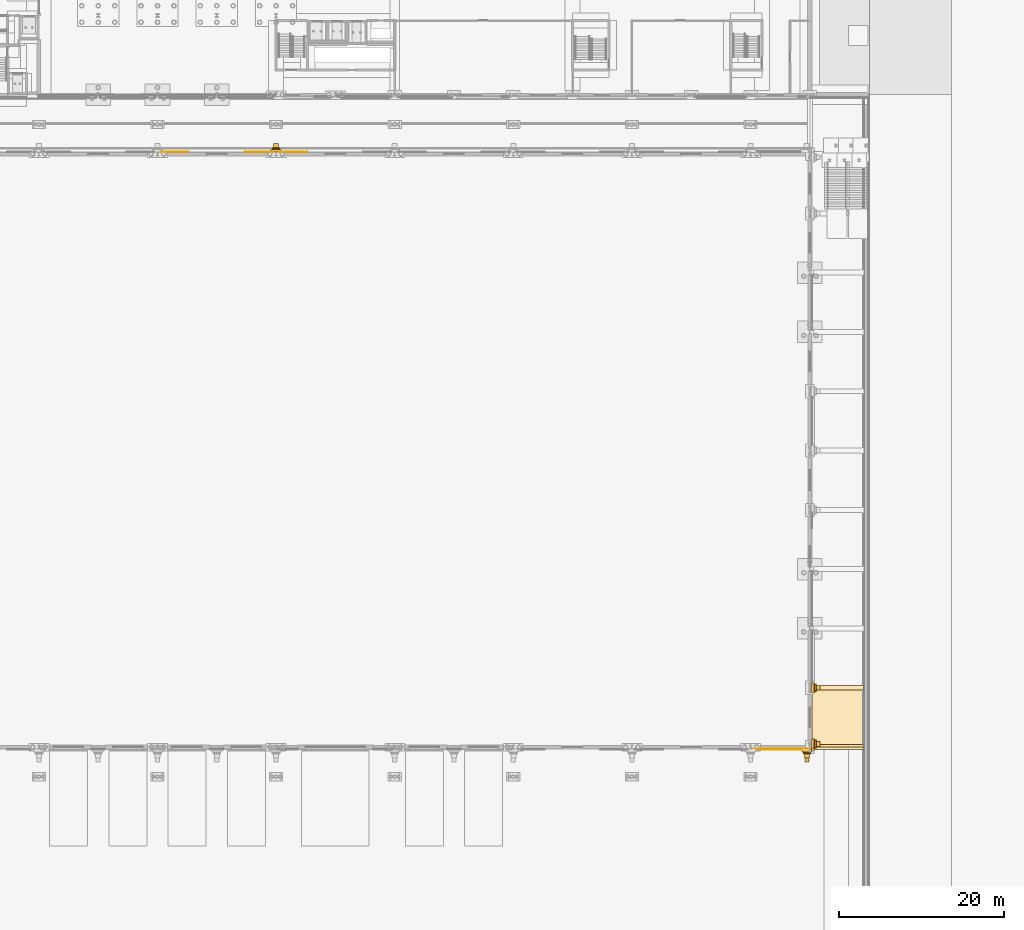
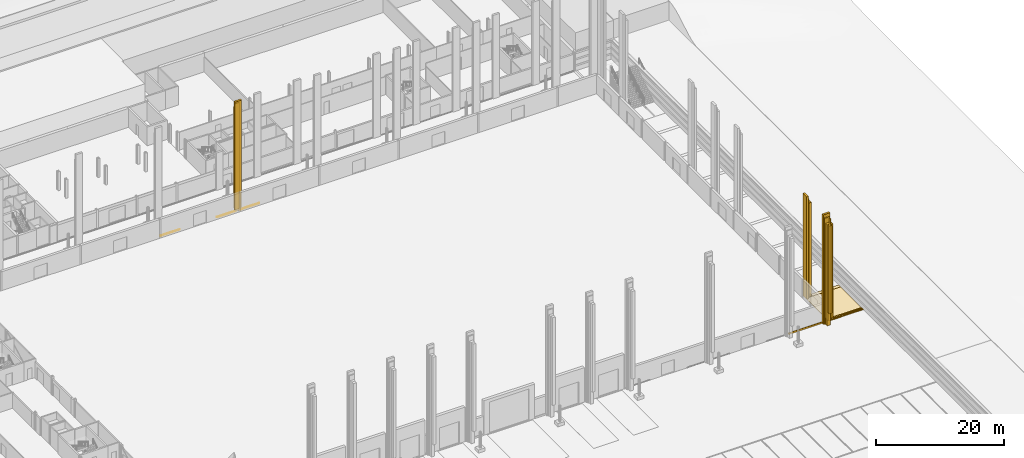
# One storey, part 134 of 148: 22 coverings.
"""IFC4 building model written with IfcOpenShell, lengths in metres."""

from ifc_helpers import new_model, si_unit, direction, frame, origin, origin_2d, place, context, subcontext, project, spatial, polyline, rectangle, outline, extrude, material, layer, layer_set, type_object, element, save


model = new_model("IFC4")

# Units and contexts
model_context = context("Model", 3, precision=1e-05, world=origin(), true_north=direction((0.0, 1.0)))
body_context = subcontext(model_context, "Body", "Model", "MODEL_VIEW")
ifc_project = project(units=[si_unit("LENGTHUNIT", "METRE"), si_unit("AREAUNIT", "SQUARE_METRE"), si_unit("VOLUMEUNIT", "CUBIC_METRE"), si_unit("PLANEANGLEUNIT", "RADIAN"), si_unit("MASSUNIT", "GRAM", prefix="KILO")], contexts=[model_context])

# Site, building, storey
site_placement = place(None, origin())
site = spatial("IfcSite", under=ifc_project, at=site_placement, CompositionType="ELEMENT")
building_placement = place(site_placement, origin())
building = spatial("IfcBuilding", under=site, at=building_placement, Name="Kupolbacken Congress Centre", CompositionType="ELEMENT")
storey_placement = place(building_placement, origin())
storey = spatial("IfcBuildingStorey", under=building, at=storey_placement, Name="L00", CompositionType="ELEMENT", Elevation=0.0)

# Coverings
ifc_material_1 = material(Name="Brick cladding", Category="masonry")
ifc_layer_1 = layer(ifc_material_1, 0.10791015625)
ifc_layer_set_1 = layer_set([ifc_layer_1], Name="Brick cladding")
covering_type_1 = type_object("IfcCoveringType", Name="CV2 brick cladding band 108", PredefinedType="CLADDING", material=ifc_layer_set_1)
covering_1_placement = place(storey_placement, frame((198.0, 42.93603515625, 0.0), z_axis=(0.0, 0.0, 1.0), x_axis=(1.0, 0.0, 0.0)))
element("IfcCovering", 1, at=covering_1_placement, inside=storey, type_object=covering_type_1, Name="E/H/S/L00/090/band", PredefinedType="CLADDING", context=body_context, shape_type="SweptSolid", body=[
    extrude(rectangle(XDim=6.89990234375, YDim=0.10791015625, at=origin_2d()), origin(), (0.0, 0.0, 1.0), 0.300048828125),
])
ifc_material_2 = material(Name="Limestone cladding", Category="masonry")
ifc_layer_2 = layer(ifc_material_2, 0.35009765625)
ifc_layer_set_2 = layer_set([ifc_layer_2], Name="Limestone cladding")
covering_type_2 = type_object("IfcCoveringType", Name="CV3 limestone pilaster strip 350", PredefinedType="CLADDING", material=ifc_layer_set_2)
covering_2_placement = place(storey_placement, frame((201.260009765625, 42.764892578125, 0.0), z_axis=(0.0, 0.0, 1.0), x_axis=(1.0, 0.0, 0.0)))
element("IfcCovering", 2, at=covering_2_placement, inside=storey, type_object=covering_type_2, Name="F/H/S/pil/16/0", PredefinedType="CLADDING", context=body_context, shape_type="SweptSolid", body=[
    extrude(rectangle(XDim=1.199951171875, YDim=0.35009765625, at=origin_2d()), origin(), (0.0, 0.0, 1.0), 20.93505859375),
])
covering_3_placement = place(storey_placement, frame((136.800048828125, 115.590087890625, 0.0), z_axis=(0.0, 0.0, 1.0), x_axis=(1.0, 0.0, 0.0)))
element("IfcCovering", 3, at=covering_3_placement, inside=storey, type_object=covering_type_2, Name="F/H/N/pil/07/0", PredefinedType="CLADDING", context=body_context, shape_type="SweptSolid", body=[
    extrude(rectangle(XDim=1.199951171875, YDim=0.340087890625, at=origin_2d()), origin(), (0.0, 0.0, 1.0), 20.93505859375),
])
for number, where, z_axis, x_axis, name in (
    (4, (201.985107421875, 43.590087890625, 0.0), (0.0, 0.0, 1.0), (0.0, 1.0, 0.0), "F/H/E/pil/00/0"),
    (5, (201.985107421875, 50.39990234375, 0.0), (0.0, 0.0, 1.0), (0.0, 1.0, 0.0), "F/H/E/pil/01/0"),
):
    element("IfcCovering", number, at=place(storey_placement, frame(where, z_axis=z_axis, x_axis=x_axis)), inside=storey, type_object=covering_type_2, Name=name, PredefinedType="CLADDING", context=body_context, shape_type="SweptSolid", body=[
        extrude(rectangle(XDim=1.199951171875, YDim=0.35009765625, at=origin_2d()), origin(), (0.0, 0.0, 1.0), 19.60009765625),
    ])
covering_4_placement = place(storey_placement, frame((201.985107421875, 42.93994140625, 0.0), z_axis=(0.0, 0.0, 1.0), x_axis=(1.0, 0.0, 0.0)))
element("IfcCovering", 6, at=covering_4_placement, inside=storey, type_object=covering_type_2, Name="F/H/corner/S/E/0", PredefinedType="CLADDING", context=body_context, shape_type="SweptSolid", body=[
    extrude(rectangle(XDim=0.35009765625, YDim=0.35009765625, at=origin_2d()), origin(), (0.0, 0.0, 1.0), 19.60009765625),
])
ifc_material_3 = material(Name="Limestone cladding", Category="masonry")
ifc_layer_3 = layer(ifc_material_3, 0.5)
ifc_layer_set_3 = layer_set([ifc_layer_3], Name="Limestone cladding")
covering_type_3 = type_object("IfcCoveringType", Name="CV8 limestone drum pier 500", PredefinedType="CLADDING", material=ifc_layer_set_3)
covering_5_placement = place(storey_placement, frame((201.260009765625, 42.139892578125, 0.0), z_axis=(0.0, 0.0, 1.0), x_axis=(1.0, 0.0, 0.0)))
element("IfcCovering", 7, at=covering_5_placement, inside=storey, type_object=covering_type_3, Name="F/HR/H/S/butt/16-0/0", PredefinedType="CLADDING", context=body_context, shape_type="SweptSolid", body=[
    extrude(rectangle(XDim=0.60009765625, YDim=0.5, at=origin_2d()), origin(), (0.0, 0.0, 1.0), 19.385009765625),
])
covering_6_placement = place(storey_placement, frame((201.260009765625, 41.639892578125, 2.60009765625), z_axis=(0.0, 0.0, 1.0), x_axis=(1.0, 0.0, 0.0)))
element("IfcCovering", 8, at=covering_6_placement, inside=storey, type_object=covering_type_3, Name="F/HR/H/S/butt2/16-0/0", PredefinedType="CLADDING", context=body_context, shape_type="SweptSolid", body=[
    extrude(rectangle(XDim=0.5, YDim=0.5, at=origin_2d()), origin(), (0.0, 0.0, 1.0), 16.784912109375),
])
covering_7_placement = place(storey_placement, frame((136.800048828125, 116.2099609375, 0.0), z_axis=(0.0, 0.0, 1.0), x_axis=(1.0, 0.0, 0.0)))
element("IfcCovering", 9, at=covering_7_placement, inside=storey, type_object=covering_type_3, Name="F/HR/H/N/butt/07-0/0", PredefinedType="CLADDING", context=body_context, shape_type="SweptSolid", body=[
    extrude(rectangle(XDim=0.60009765625, YDim=0.5, at=origin_2d()), origin(), (0.0, 0.0, 1.0), 19.385009765625),
])
for number, where, z_axis, x_axis, name in (
    (10, (202.610107421875, 43.590087890625, 0.0), (0.0, 0.0, 1.0), (0.0, 1.0, 0.0), "F/HR/H/E/butt/00-0/0"),
    (11, (202.610107421875, 50.39990234375, 0.0), (0.0, 0.0, 1.0), (0.0, 1.0, 0.0), "F/HR/H/E/butt/01-0/0"),
):
    element("IfcCovering", number, at=place(storey_placement, frame(where, z_axis=z_axis, x_axis=x_axis)), inside=storey, type_object=covering_type_3, Name=name, PredefinedType="CLADDING", context=body_context, shape_type="SweptSolid", body=[
        extrude(rectangle(XDim=0.60009765625, YDim=0.5, at=origin_2d()), origin(), (0.0, 0.0, 1.0), 18.050048828125),
    ])
ifc_material_4 = material(Name="Limestone cladding", Category="masonry")
ifc_layer_4 = layer(ifc_material_4, 0.199951171875)
ifc_layer_set_4 = layer_set([ifc_layer_4], Name="Limestone cladding")
covering_type_4 = type_object("IfcCoveringType", Name="CV9 limestone drum arch frame 200", PredefinedType="CLADDING", material=ifc_layer_set_4)
for number, where, z_axis, x_axis, name in (
    (12, (201.260009765625, 42.489990234375, 0.0), (0.0, 0.0, 1.0), (1.0, 0.0, 0.0), "F/HR/H/S/rib/16-0/0"),
    (13, (136.800048828125, 115.860107421875, 0.0), (0.0, 0.0, 1.0), (1.0, 0.0, 0.0), "F/HR/H/N/rib/07-0/0"),
):
    element("IfcCovering", number, at=place(storey_placement, frame(where, z_axis=z_axis, x_axis=x_axis)), inside=storey, type_object=covering_type_4, Name=name, PredefinedType="CLADDING", context=body_context, shape_type="SweptSolid", body=[
        extrude(rectangle(XDim=0.89990234375, YDim=0.199951171875, at=origin_2d()), origin(), (0.0, 0.0, 1.0), 20.3349609375),
    ])
for number, where, z_axis, x_axis, name in (
    (14, (202.260009765625, 43.590087890625, 0.0), (0.0, 0.0, 1.0), (0.0, 1.0, 0.0), "F/HR/H/E/rib/00-0/0"),
    (15, (202.260009765625, 50.39990234375, 0.0), (0.0, 0.0, 1.0), (0.0, 1.0, 0.0), "F/HR/H/E/rib/01-0/0"),
):
    element("IfcCovering", number, at=place(storey_placement, frame(where, z_axis=z_axis, x_axis=x_axis)), inside=storey, type_object=covering_type_4, Name=name, PredefinedType="CLADDING", context=body_context, shape_type="SweptSolid", body=[
        extrude(rectangle(XDim=0.89990234375, YDim=0.199951171875, at=origin_2d()), origin(), (0.0, 0.0, 1.0), 19.0),
    ])
ifc_material_5 = material(Name="Limestone cladding", Category="masonry")
ifc_layer_5 = layer(ifc_material_5, 0.02001953125)
ifc_layer_set_5 = layer_set([ifc_layer_5], Name="Limestone cladding")
covering_type_5 = type_object("IfcCoveringType", Name="GF1 limestone paving 20", PredefinedType="FLOORING", material=ifc_layer_set_5)
covering_8_placement = place(storey_placement, origin())
element("IfcCovering", 16, at=covering_8_placement, inside=storey, type_object=covering_type_5, Name="East paving band", PredefinedType="FLOORING", context=body_context, shape_type="SweptSolid", body=[
    extrude(outline(polyline([(201.974365234375, 50.10009765625), (201.9990234375, 50.13330078125), (202.0234375, 50.173583984375), (202.04345703125, 50.21630859375), (202.059326171875, 50.2607421875), (202.07080078125, 50.306396484375), (202.07763671875, 50.352783203125), (202.080078125, 50.39990234375), (202.07763671875, 50.447021484375), (202.07080078125, 50.49365234375), (202.059326171875, 50.539306640625), (202.04345703125, 50.583740234375), (202.0234375, 50.626220703125), (201.9990234375, 50.666748046875), (201.974365234375, 50.699951171875), (208.110107421875, 50.699951171875), (208.110107421875, 50.10009765625), (201.974365234375, 50.10009765625)])), origin(), (0.0, 0.0, 1.0), 0.02001953125),
])
ifc_material_6 = material(Name="Brick", Category="masonry")
ifc_layer_6 = layer(ifc_material_6, 0.02001953125)
ifc_layer_set_6 = layer_set([ifc_layer_6], Name="Brick")
covering_type_6 = type_object("IfcCoveringType", Name="GF2 brick paving 20", PredefinedType="FLOORING", material=ifc_layer_set_6)
covering_9_placement = place(storey_placement, origin())
element("IfcCovering", 17, at=covering_9_placement, inside=storey, type_object=covering_type_6, Name="East strip brick paving", PredefinedType="FLOORING", context=body_context, shape_type="SweptSolid", body=[
    extrude(outline(polyline([(208.110107421875, 43.50048828125), (201.974365234375, 43.5), (201.939453125, 43.539306640625), (201.904541015625, 43.571044921875), (201.86669921875, 43.59912109375), (201.840087890625, 43.614990234375), (201.840087890625, 49.98486328125), (201.86669921875, 50.0009765625), (201.904541015625, 50.02880859375), (201.939453125, 50.060546875), (201.974365234375, 50.10009765625), (208.110107421875, 50.10009765625), (208.110107421875, 43.50048828125)])), origin(), (0.0, 0.0, 1.0), 0.02001953125),
])
ifc_material_7 = material(Name="Granite setts", Category="masonry")
ifc_layer_7 = layer(ifc_material_7, 0.10009765625)
ifc_layer_set_7 = layer_set([ifc_layer_7], Name="Granite setts")
covering_type_7 = type_object("IfcCoveringType", Name="GR3 granite sett paving 100", PredefinedType="FLOORING", material=ifc_layer_set_7)
covering_10_placement = place(storey_placement, origin())
element("IfcCovering", 18, at=covering_10_placement, inside=storey, type_object=covering_type_7, Name="Granite kerb edging", PredefinedType="FLOORING", context=body_context, shape_type="SweptSolid", body=[
    extrude(outline(polyline([(202.079833984375, 43.197509765625), (208.110107421875, 43.197509765625), (208.110107421875, 42.8994140625), (201.97412109375, 42.8994140625), (201.9990234375, 42.933349609375), (202.0234375, 42.9736328125), (202.04345703125, 43.016357421875), (202.059326171875, 43.060791015625), (202.07080078125, 43.106201171875), (202.07763671875, 43.15283203125), (202.079833984375, 43.197509765625)])), origin(), (0.0, 0.0, 1.0), 0.10009765625),
])
covering_11_placement = place(storey_placement, origin())
element("IfcCovering", 19, at=covering_11_placement, inside=storey, type_object=covering_type_7, Name="Granite kerb edging", PredefinedType="FLOORING", context=body_context, shape_type="SweptSolid", body=[
    extrude(outline(polyline([(122.799072265625, 115.466796875), (122.774169921875, 115.50048828125), (126.21484375, 115.50048828125), (126.2119140625, 115.43994140625), (122.815185546875, 115.43994140625), (122.799072265625, 115.466796875)])), origin(), (0.0, 0.0, 1.0), 0.10009765625),
])
covering_12_placement = place(storey_placement, origin())
element("IfcCovering", 20, at=covering_12_placement, inside=storey, type_object=covering_type_7, Name="Granite kerb edging", PredefinedType="FLOORING", context=body_context, shape_type="SweptSolid", body=[
    extrude(outline(polyline([(132.98828125, 115.43994140625), (132.985107421875, 115.50048828125), (136.42578125, 115.50048828125), (136.40087890625, 115.466796875), (136.385009765625, 115.43994140625), (132.98828125, 115.43994140625)])), origin(), (0.0, 0.0, 1.0), 0.10009765625),
])
covering_13_placement = place(storey_placement, origin())
element("IfcCovering", 21, at=covering_13_placement, inside=storey, type_object=covering_type_7, Name="Granite kerb edging", PredefinedType="FLOORING", context=body_context, shape_type="SweptSolid", body=[
    extrude(outline(polyline([(137.215087890625, 115.43994140625), (137.19921875, 115.466796875), (137.174072265625, 115.50048828125), (140.61474609375, 115.50048828125), (140.61181640625, 115.43994140625), (137.215087890625, 115.43994140625)])), origin(), (0.0, 0.0, 1.0), 0.10009765625),
])
covering_14_placement = place(storey_placement, origin())
element("IfcCovering", 22, at=covering_14_placement, inside=storey, type_object=covering_type_7, Name="Granite kerb edging", PredefinedType="FLOORING", context=body_context, shape_type="SweptSolid", body=[
    extrude(outline(polyline([(202.059326171875, 43.33935546875), (202.04345703125, 43.3837890625), (202.0234375, 43.42626953125), (202.021484375, 43.429443359375), (202.26318359375, 43.46533203125), (202.40380859375, 43.50048828125), (208.110107421875, 43.50048828125), (208.110107421875, 43.202392578125), (202.079833984375, 43.202392578125), (202.07763671875, 43.2470703125), (202.07080078125, 43.293701171875), (202.059326171875, 43.33935546875)])), origin(), (0.0, 0.0, 1.0), 0.10009765625),
])

save(model, "model.ifc")
